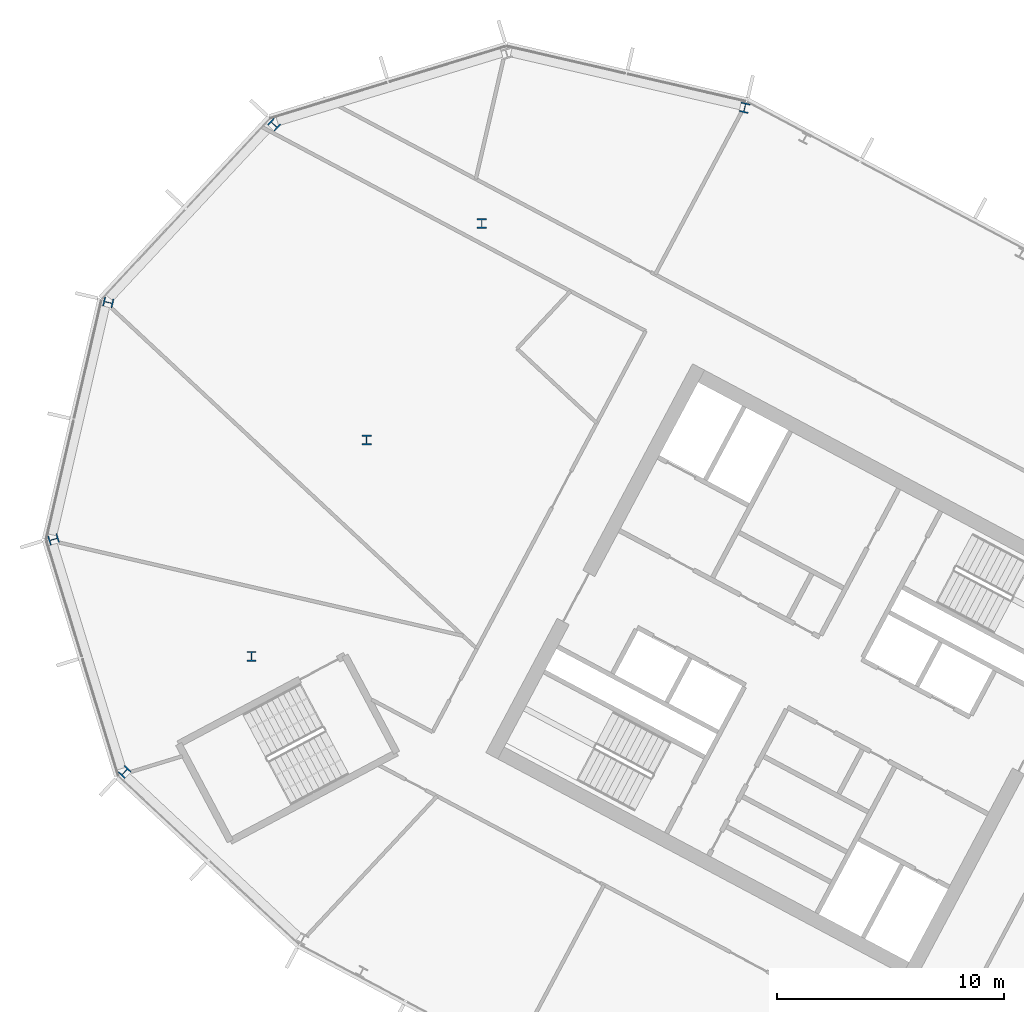
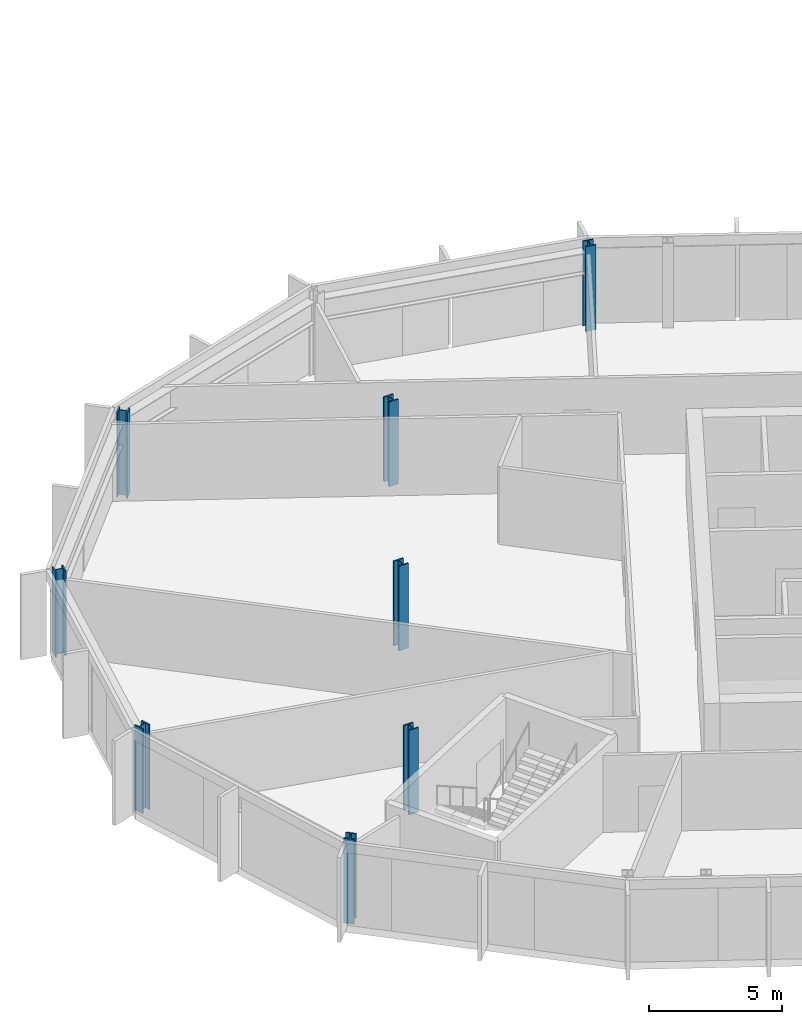
# One storey, part 3 of 26: 8 columns.
"""IFC4 building model written with IfcOpenShell, lengths in metres."""

from ifc_helpers import new_model, si_unit, direction, frame, origin, origin_2d, place, context, subcontext, project, spatial, i_section, extrude, material, material_profile, profile_set, type_object, element, save


model = new_model("IFC4")

# Units and contexts
model_context = context("Model", 3, precision=1e-05, world=origin(), true_north=direction((0.0, 1.0)))
body_context = subcontext(model_context, "Body", "Model", "MODEL_VIEW")
ifc_project = project(units=[si_unit("LENGTHUNIT", "METRE"), si_unit("AREAUNIT", "SQUARE_METRE"), si_unit("VOLUMEUNIT", "CUBIC_METRE"), si_unit("PLANEANGLEUNIT", "RADIAN"), si_unit("MASSUNIT", "GRAM", prefix="KILO")], contexts=[model_context])

# Site, building, storey
site_placement = place(None, origin())
site = spatial("IfcSite", under=ifc_project, at=site_placement, CompositionType="ELEMENT")
building_placement = place(site_placement, origin())
building = spatial("IfcBuilding", under=site, at=building_placement, Name="Cormorant Relay Tower", CompositionType="ELEMENT")
storey_placement = place(building_placement, frame((0.0, 0.0, 244.199951171875)))
storey = spatial("IfcBuildingStorey", under=building, at=storey_placement, Name="L54", CompositionType="ELEMENT", Elevation=244.199951171875)

# Columns
ifc_material = material(Name="Steel ASTM A992 (Fy 345 MPa)", Category="steel")
ifc_material_profile = material_profile(ifc_material, i_section(OverallWidth=0.41162109375, OverallDepth=0.434326171875, WebThickness=0.035888671875, FlangeThickness=0.057373046875, FilletRadius=0.01513671875, at=origin_2d()), Name="W360x463")
ifc_profile_set = profile_set([ifc_material_profile], Name="Steel ASTM A992 (Fy 345 MPa)")
column_type = type_object("IfcColumnType", Name="Column W360x463", PredefinedType="COLUMN", material=ifc_profile_set)
for number, where, z_axis, x_axis, name in (
    (1, (-57.279052734375, 10.162109375, 0.0), (0.0, 0.0, 1.0), (0.731353701619, -0.681998360062, 0.0), "Column L54-022"),
    (2, (-51.68994140625, 15.251953125, 0.0), (0.0, 0.0, 1.0), (1.0, 0.0, 0.0), "Column L54-027"),
    (3, (-60.409912109375, 20.404052734375, 0.0), (0.0, 0.0, 1.0), (0.292371704723, -0.956304755963, 0.0), "Column L54-028"),
    (4, (-46.6201171875, 24.7880859375, 0.0), (0.0, 0.0, 1.0), (1.0, 0.0, 0.0), "Column L54-031"),
    (5, (-58.0009765625, 30.840087890625, 0.0), (0.0, 0.0, 1.0), (-0.224951054344, -0.974370064785, 0.0), "Column L54-034"),
    (6, (-41.549072265625, 34.323974609375, 0.0), (0.0, 0.0, 1.0), (1.0, 0.0, 0.0), "Column L54-038"),
    (7, (-50.697021484375, 38.672119140625, 0.0), (0.0, 0.0, 1.0), (-0.681998360062, -0.731353701619, 0.0), "Column L54-042"),
    (8, (-29.968017578125, 39.4150390625, 0.0), (0.0, 0.0, 1.0), (-0.974370064785, 0.224951054344, 0.0), "Column L54-044"),
):
    element("IfcColumn", number, at=place(storey_placement, frame(where, z_axis=z_axis, x_axis=x_axis)), inside=storey, type_object=column_type, Name=name, PredefinedType="COLUMN", context=body_context, shape_type="SweptSolid", body=[
        extrude(i_section(OverallWidth=0.41162109375, OverallDepth=0.434326171875, WebThickness=0.035888671875, FlangeThickness=0.057373046875, FilletRadius=0.01513671875, at=origin_2d()), origin(), (0.0, 0.0, 1.0), 3.900146484375),
    ])

save(model, "model.ifc")
